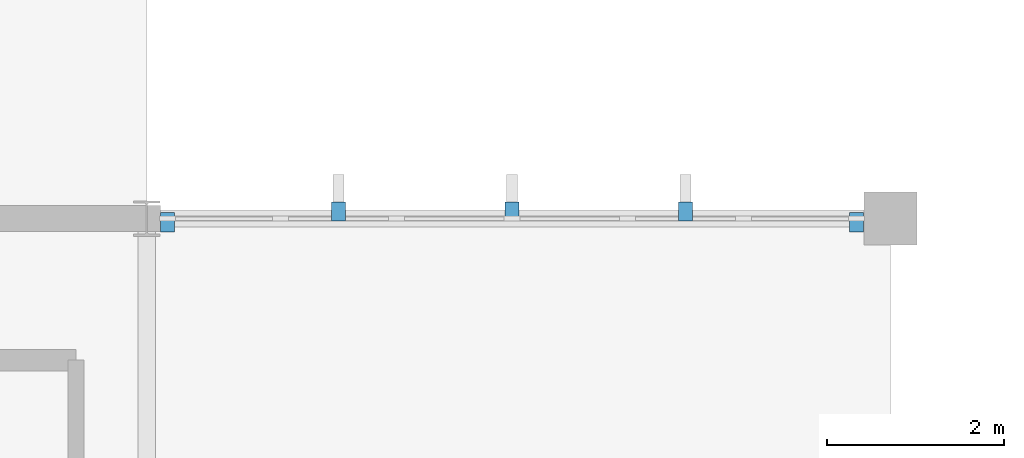
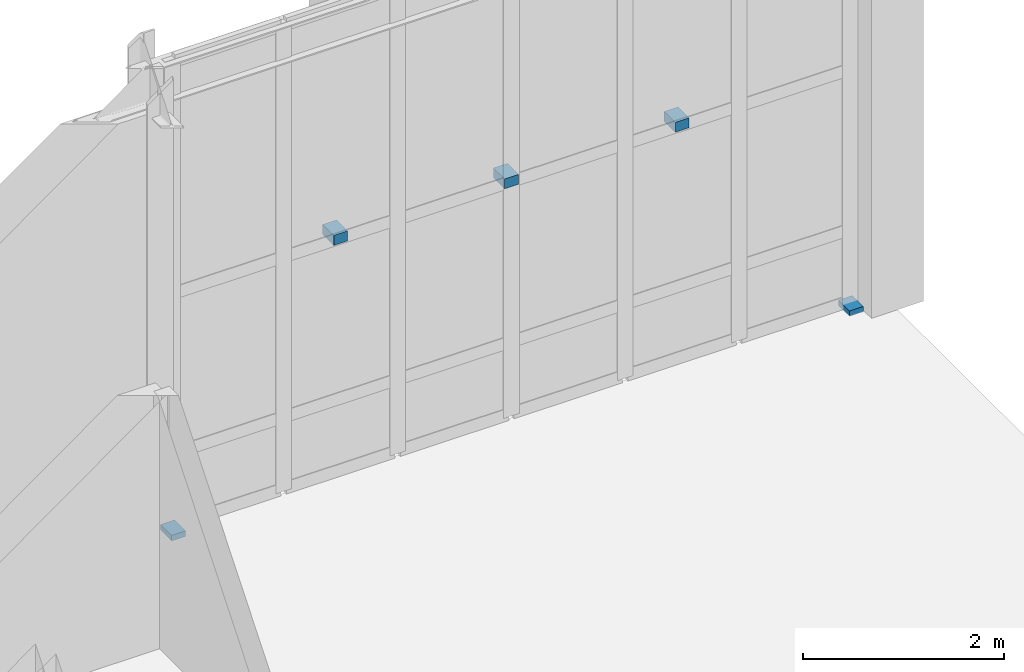
# One storey, part 91 of 110: 5 discrete accessories.
"""IFC4 building model written with IfcOpenShell, lengths in metres."""

from ifc_helpers import new_model, si_unit, direction, frame, origin, origin_2d, place, context, subcontext, project, spatial, rectangle, extrude, material, type_object, element, save


model = new_model("IFC4")

# Units and contexts
model_context = context("Model", 3, precision=1e-05, world=origin(), true_north=direction((0.0, 1.0)))
body_context = subcontext(model_context, "Body", "Model", "MODEL_VIEW")
ifc_project = project(units=[si_unit("LENGTHUNIT", "METRE"), si_unit("AREAUNIT", "SQUARE_METRE"), si_unit("VOLUMEUNIT", "CUBIC_METRE"), si_unit("PLANEANGLEUNIT", "RADIAN"), si_unit("MASSUNIT", "GRAM", prefix="KILO")], contexts=[model_context])

# Site, building, storey
site_placement = place(None, origin())
site = spatial("IfcSite", under=ifc_project, at=site_placement, CompositionType="ELEMENT")
building_placement = place(site_placement, origin())
building = spatial("IfcBuilding", under=site, at=building_placement, Name="Tizgana Railside Sports Hall", CompositionType="ELEMENT")
storey_placement = place(building_placement, origin())
storey = spatial("IfcBuildingStorey", under=building, at=storey_placement, Name="L00", CompositionType="ELEMENT", Elevation=0.0)

# Discrete accessories
ifc_material = material(Name="Steel S355J2", Category="steel")
discrete_accessory_type = type_object("IfcDiscreteAccessoryType", Name="Stainless Facade Support Bracket", PredefinedType="BRACKET", material=ifc_material)
for number, where, z_axis, x_axis, name in (
    (1, (71.635009765625, 88.760009765625, -0.010009765625), (0.0, 0.0, 1.0), (1.0, 0.0, 0.0), "L00 Curtain Wall Base Bracket"),
    (2, (79.4150390625, 88.760009765625, -0.010009765625), (0.0, 0.0, 1.0), (1.0, 0.0, 0.0), "L00 Curtain Wall Base Bracket"),
):
    element("IfcDiscreteAccessory", number, at=place(storey_placement, frame(where, z_axis=z_axis, x_axis=x_axis)), inside=storey, type_object=discrete_accessory_type, Name=name, PredefinedType="BRACKET", context=body_context, shape_type="SweptSolid", body=[
        extrude(rectangle(XDim=0.159912109375, YDim=0.219970703125, at=origin_2d()), origin(), (0.0, 0.0, 1.0), 0.06494140625),
    ])
for number, where, z_axis, x_axis, name in (
    (3, (73.56494140625, 88.8798828125, 2.827392578125), (0.0, 0.0, 1.0), (1.0, 0.0, 0.0), "L00 Fin Bracket"),
    (4, (75.52490234375, 88.8798828125, 2.827392578125), (0.0, 0.0, 1.0), (1.0, 0.0, 0.0), "L00 Fin Bracket"),
    (5, (77.485107421875, 88.8798828125, 2.827392578125), (0.0, 0.0, 1.0), (1.0, 0.0, 0.0), "L00 Fin Bracket"),
):
    element("IfcDiscreteAccessory", number, at=place(storey_placement, frame(where, z_axis=z_axis, x_axis=x_axis)), inside=storey, type_object=discrete_accessory_type, Name=name, PredefinedType="BRACKET", context=body_context, shape_type="SweptSolid", body=[
        extrude(rectangle(XDim=0.159912109375, YDim=0.219970703125, at=origin_2d()), origin(), (0.0, 0.0, 1.0), 0.1201171875),
    ])

save(model, "model.ifc")
